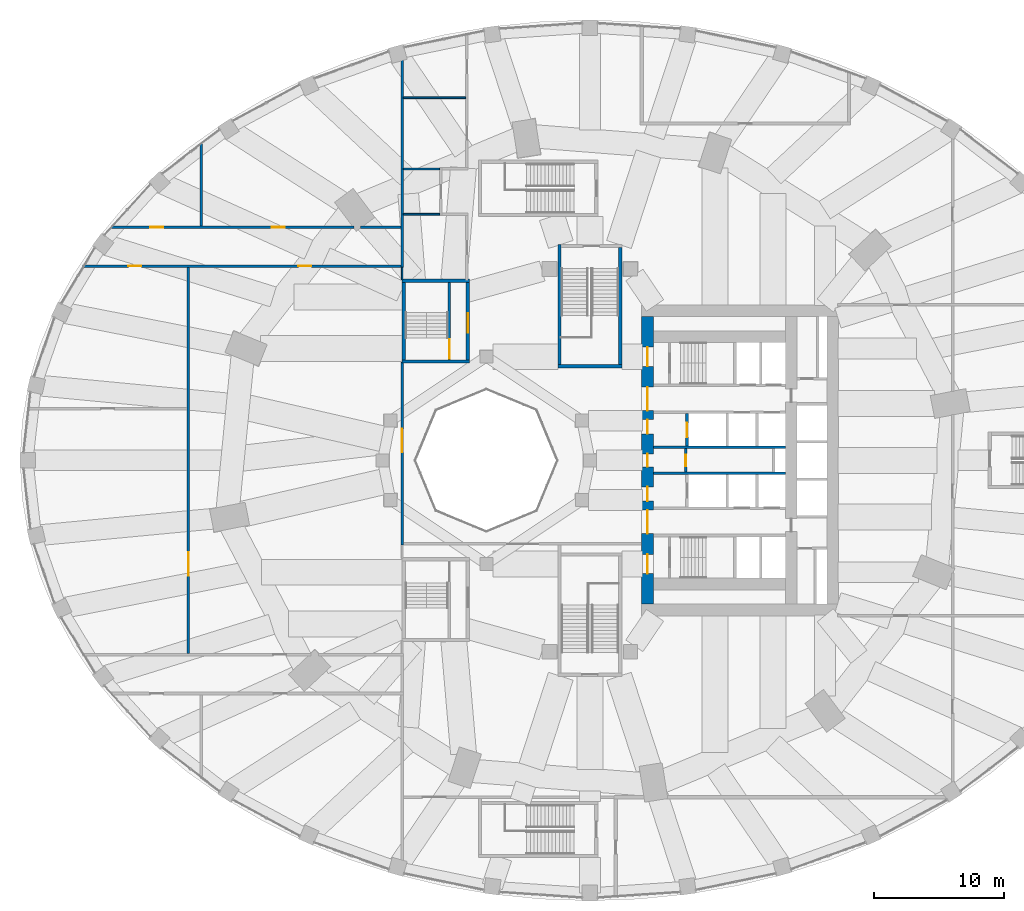
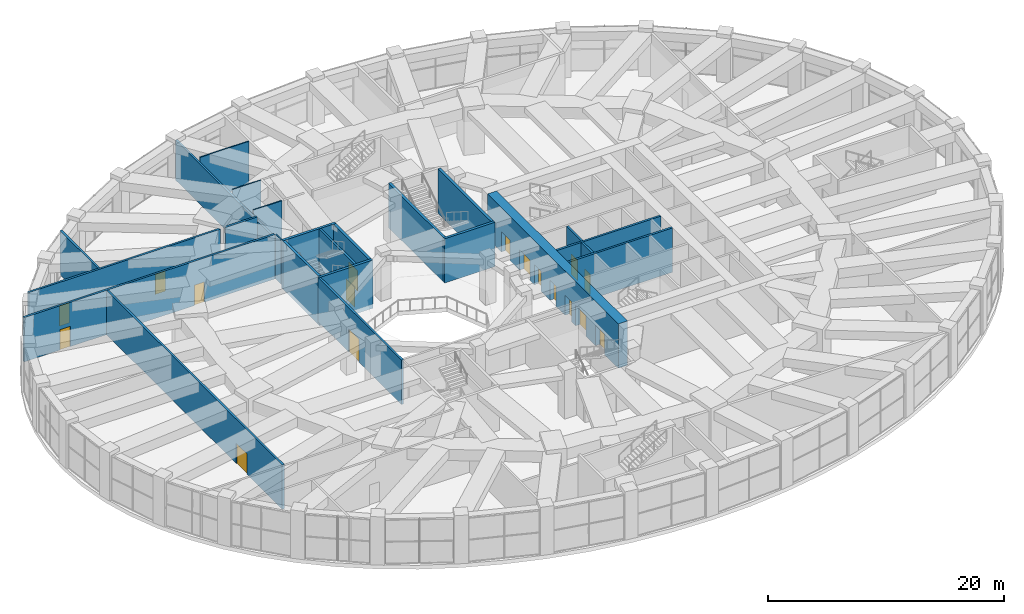
# One storey, part 23 of 32: 24 walls, 17 doors, 17 openings.
"""IFC4 building model written with IfcOpenShell, lengths in metres."""

from ifc_helpers import new_model, si_unit, direction, frame, frame_2d, origin, place, context, subcontext, project, spatial, rectangle, extrude, material, layer, layer_set, type_object, element, fill, save


model = new_model("IFC4")

# Units and contexts
model_context = context("Model", 3, precision=1e-05, world=origin(), true_north=direction((0.0, 1.0)))
body_context = subcontext(model_context, "Body", "Model", "MODEL_VIEW")
ifc_project = project(units=[si_unit("LENGTHUNIT", "METRE"), si_unit("AREAUNIT", "SQUARE_METRE"), si_unit("VOLUMEUNIT", "CUBIC_METRE"), si_unit("PLANEANGLEUNIT", "RADIAN"), si_unit("MASSUNIT", "GRAM", prefix="KILO")], contexts=[model_context])

# Site, building, storey
site_placement = place(None, origin())
site = spatial("IfcSite", under=ifc_project, at=site_placement, CompositionType="ELEMENT")
building_placement = place(site_placement, origin())
building = spatial("IfcBuilding", under=site, at=building_placement, Name="Taillehof Tower", CompositionType="ELEMENT")
storey_placement = place(building_placement, frame((0.0, 0.0, 7.5)))
storey = spatial("IfcBuildingStorey", under=building, at=storey_placement, Name="L01", CompositionType="ELEMENT", Elevation=7.5)

# Wall, openings, doors
ifc_material_1 = material(Name="Calcium silicate blockwork", Category="masonry")
ifc_layer_1 = layer(ifc_material_1, 0.199951171875)
ifc_layer_set_1 = layer_set([ifc_layer_1], Name="Compartment wall EI 60 200 mm")
wall_type_1 = type_object("IfcWallType", Name="Compartment wall EI 60 200 mm", PredefinedType="PARTITIONING", material=ifc_layer_set_1)
wall_1_placement = place(storey_placement, frame((-39.165283203125, 15.0, 0.0), z_axis=(0.0, 0.0, 1.0), x_axis=(1.0, 0.0, 0.0)))
wall_1 = element("IfcWall", 1, at=wall_1_placement, inside=storey, type_object=wall_type_1, Name="Wall L01-19 / L01-21", PredefinedType="PARTITIONING", context=body_context, shape_type="SweptSolid", body=[
    extrude(rectangle(XDim=24.565185546875, YDim=0.199951171875, at=frame_2d((12.28271484375, 0.0))), origin(), (0.0, 0.0, 1.0), 4.590087890625),
])
opening_1_placement = place(wall_1_placement, frame((3.5322265625, 0.0, 0.0)))
opening_1 = element("IfcOpeningElement", 2, at=opening_1_placement, cuts=wall_1, Name="Opening D0157", PredefinedType="OPENING", context=body_context, shape_type="SweptSolid", body=[
    extrude(rectangle(XDim=1.0, YDim=2.10009765625, at=frame_2d((0.5, 1.050048828125))), frame((0.0, 0.10986328125, 0.0), z_axis=(0.0, -1.0, 0.0), x_axis=(1.0, 0.0, 0.0)), (0.0, 0.0, 1.0), 0.219970703125),
])
opening_2_placement = place(wall_1_placement, frame((16.665283203125, 0.0, 0.0)))
opening_2 = element("IfcOpeningElement", 3, at=opening_2_placement, cuts=wall_1, Name="Opening D0158", PredefinedType="OPENING", context=body_context, shape_type="SweptSolid", body=[
    extrude(rectangle(XDim=1.0, YDim=2.10009765625, at=frame_2d((0.5, 1.050048828125))), frame((0.0, 0.10986328125, 0.0), z_axis=(0.0, -1.0, 0.0), x_axis=(1.0, 0.0, 0.0)), (0.0, 0.0, 1.0), 0.219970703125),
])
ifc_material_2 = material(Name="Hollow metal door set")
door_type_1 = type_object("IfcDoorType", Name="Single door 1000 x 2100 FD60S", OperationType="SINGLE_SWING_LEFT", PredefinedType="DOOR", material=ifc_material_2)
door_1_placement = place(opening_1_placement, origin())
door_1 = element("IfcDoor", 4, at=door_1_placement, inside=storey, type_object=door_type_1, Name="Door D0157", OperationType="SINGLE_SWING_RIGHT", OverallHeight=2.10009765625, OverallWidth=1.0, PredefinedType="DOOR", context=body_context, shape_type="SweptSolid", body=[
    extrude(rectangle(XDim=1.0, YDim=2.10009765625, at=frame_2d((0.5, 1.050048828125))), frame((0.0, 0.02490234375, 0.0), z_axis=(0.0, -1.0, 0.0), x_axis=(1.0, 0.0, 0.0)), (0.0, 0.0, 1.0), 0.050048828125),
])
fill(opening_1, door_1)
door_2_placement = place(opening_2_placement, origin())
door_2 = element("IfcDoor", 5, at=door_2_placement, inside=storey, type_object=door_type_1, Name="Door D0158", OperationType="SINGLE_SWING_LEFT", OverallHeight=2.10009765625, OverallWidth=1.0, PredefinedType="DOOR", context=body_context, shape_type="SweptSolid", body=[
    extrude(rectangle(XDim=1.0, YDim=2.10009765625, at=frame_2d((0.5, 1.050048828125))), frame((0.0, 0.02490234375, 0.0), z_axis=(0.0, -1.0, 0.0), x_axis=(1.0, 0.0, 0.0)), (0.0, 0.0, 1.0), 0.050048828125),
])
fill(opening_2, door_2)

wall_2_placement = place(storey_placement, frame((-36.981689453125, 18.0, 0.0), z_axis=(0.0, 0.0, 1.0), x_axis=(1.0, 0.0, 0.0)))
wall_2 = element("IfcWall", 6, at=wall_2_placement, inside=storey, type_object=wall_type_1, Name="Wall L01-21 / L01-23", PredefinedType="PARTITIONING", context=body_context, shape_type="SweptSolid", body=[
    extrude(rectangle(XDim=18.784423828125, YDim=0.199951171875, at=frame_2d((9.39208984375, 0.0))), origin(), (0.0, 0.0, 1.0), 4.590087890625),
])
opening_3_placement = place(wall_2_placement, frame((3.040771484375, 0.0, 0.0)))
opening_3 = element("IfcOpeningElement", 7, at=opening_3_placement, cuts=wall_2, Name="Opening D0161", PredefinedType="OPENING", context=body_context, shape_type="SweptSolid", body=[
    extrude(rectangle(XDim=1.0, YDim=2.10009765625, at=frame_2d((0.5, 1.050048828125))), frame((0.0, 0.10986328125, 0.0), z_axis=(0.0, -1.0, 0.0), x_axis=(1.0, 0.0, 0.0)), (0.0, 0.0, 1.0), 0.219970703125),
])
opening_4_placement = place(wall_2_placement, frame((12.4326171875, 0.0, 0.0)))
opening_4 = element("IfcOpeningElement", 8, at=opening_4_placement, cuts=wall_2, Name="Opening D0162", PredefinedType="OPENING", context=body_context, shape_type="SweptSolid", body=[
    extrude(rectangle(XDim=1.0, YDim=2.10009765625, at=frame_2d((0.5, 1.050048828125))), frame((0.0, 0.10986328125, 0.0), z_axis=(0.0, -1.0, 0.0), x_axis=(1.0, 0.0, 0.0)), (0.0, 0.0, 1.0), 0.219970703125),
])
door_3_placement = place(opening_3_placement, origin())
door_3 = element("IfcDoor", 9, at=door_3_placement, inside=storey, type_object=door_type_1, Name="Door D0161", OperationType="SINGLE_SWING_RIGHT", OverallHeight=2.10009765625, OverallWidth=1.0, PredefinedType="DOOR", context=body_context, shape_type="SweptSolid", body=[
    extrude(rectangle(XDim=1.0, YDim=2.10009765625, at=frame_2d((0.5, 1.050048828125))), frame((0.0, 0.02490234375, 0.0), z_axis=(0.0, -1.0, 0.0), x_axis=(1.0, 0.0, 0.0)), (0.0, 0.0, 1.0), 0.050048828125),
])
fill(opening_3, door_3)
door_4_placement = place(opening_4_placement, origin())
door_4 = element("IfcDoor", 10, at=door_4_placement, inside=storey, type_object=door_type_1, Name="Door D0162", OperationType="SINGLE_SWING_RIGHT", OverallHeight=2.10009765625, OverallWidth=1.0, PredefinedType="DOOR", context=body_context, shape_type="SweptSolid", body=[
    extrude(rectangle(XDim=1.0, YDim=2.10009765625, at=frame_2d((0.5, 1.050048828125))), frame((0.0, 0.02490234375, 0.0), z_axis=(0.0, -1.0, 0.0), x_axis=(1.0, 0.0, 0.0)), (0.0, 0.0, 1.0), 0.050048828125),
])
fill(opening_4, door_4)

# Wall
wall_3_placement = place(storey_placement, frame((-17.714599609375, 18.0, 0.0), z_axis=(0.0, 0.0, 1.0), x_axis=(1.0, 0.0, 0.0)))
element("IfcWall", 11, at=wall_3_placement, inside=storey, type_object=wall_type_1, Name="Wall L01-21 / L01-24", PredefinedType="PARTITIONING", context=body_context, shape_type="SweptSolid", body=[
    extrude(rectangle(XDim=3.114501953125, YDim=0.199951171875, at=frame_2d((1.55712890625, 0.0))), origin(), (0.0, 0.0, 1.0), 4.590087890625),
])

# Wall, opening, door
wall_4_placement = place(storey_placement, frame((-31.0, -14.89990234375, 0.0), z_axis=(0.0, 0.0, 1.0), x_axis=(0.0, 1.0, 0.0)))
wall_4 = element("IfcWall", 12, at=wall_4_placement, inside=storey, type_object=wall_type_1, Name="Wall L01-18 / L01-20", PredefinedType="PARTITIONING", context=body_context, shape_type="SweptSolid", body=[
    extrude(rectangle(XDim=29.7998046875, YDim=0.199951171875, at=frame_2d((14.89990234375, 0.0))), origin(), (0.0, 0.0, 1.0), 4.590087890625),
])
opening_5_placement = place(wall_4_placement, frame((6.0, 0.0, 0.0)))
opening_5 = element("IfcOpeningElement", 13, at=opening_5_placement, cuts=wall_4, Name="Opening D0150", PredefinedType="OPENING", context=body_context, shape_type="SweptSolid", body=[
    extrude(rectangle(XDim=1.800048828125, YDim=2.10009765625, at=frame_2d((0.89990234375, 1.050048828125))), frame((0.0, 0.10986328125, 0.0), z_axis=(0.0, -1.0, 0.0), x_axis=(1.0, 0.0, 0.0)), (0.0, 0.0, 1.0), 0.219970703125),
])
ifc_material_3 = material(Name="Hollow metal door set")
door_type_2 = type_object("IfcDoorType", Name="Double door 1800 x 2100 FD60S", OperationType="DOUBLE_DOOR_SINGLE_SWING", PredefinedType="DOOR", material=ifc_material_3)
door_5_placement = place(opening_5_placement, origin())
door_5 = element("IfcDoor", 14, at=door_5_placement, inside=storey, type_object=door_type_2, Name="Door D0150", OperationType="DOUBLE_DOOR_SINGLE_SWING", OverallHeight=2.10009765625, OverallWidth=1.800048828125, PredefinedType="DOOR", context=body_context, shape_type="SweptSolid", body=[
    extrude(rectangle(XDim=1.800048828125, YDim=2.10009765625, at=frame_2d((0.89990234375, 1.050048828125))), frame((0.0, 0.02490234375, 0.0), z_axis=(0.0, -1.0, 0.0), x_axis=(1.0, 0.0, 0.0)), (0.0, 0.0, 1.0), 0.050048828125),
])
fill(opening_5, door_5)

# Wall
wall_5_placement = place(storey_placement, frame((-30.0, 18.10009765625, 0.0), z_axis=(0.0, 0.0, 1.0), x_axis=(0.0, 1.0, 0.0)))
element("IfcWall", 15, at=wall_5_placement, inside=storey, type_object=wall_type_1, Name="Wall L01-23 / L01-24", PredefinedType="PARTITIONING", context=body_context, shape_type="SweptSolid", body=[
    extrude(rectangle(XDim=6.440185546875, YDim=0.199951171875, at=frame_2d((3.22021484375, 0.0))), origin(), (0.0, 0.0, 1.0), 4.590087890625),
])

# Wall, opening, door
wall_6_placement = place(storey_placement, frame((-14.5, -6.550048828125, 0.0), z_axis=(0.0, 0.0, 1.0), x_axis=(0.0, 1.0, 0.0)))
wall_6 = element("IfcWall", 16, at=wall_6_placement, inside=storey, type_object=wall_type_1, Name="Wall L01-20 / L01-27", PredefinedType="PARTITIONING", context=body_context, shape_type="SweptSolid", body=[
    extrude(rectangle(XDim=14.150146484375, YDim=0.199951171875, at=frame_2d((7.0751953125, 0.0))), origin(), (0.0, 0.0, 1.0), 4.590087890625),
])
opening_6_placement = place(wall_6_placement, frame((7.175048828125, 0.0, 0.0)))
opening_6 = element("IfcOpeningElement", 17, at=opening_6_placement, cuts=wall_6, Name="Opening D0154", PredefinedType="OPENING", context=body_context, shape_type="SweptSolid", body=[
    extrude(rectangle(XDim=1.800048828125, YDim=2.39990234375, at=frame_2d((0.89990234375, 1.199951171875))), frame((0.0, 0.10986328125, 0.0), z_axis=(0.0, -1.0, 0.0), x_axis=(1.0, 0.0, 0.0)), (0.0, 0.0, 1.0), 0.219970703125),
])
ifc_material_4 = material(Name="Glazed aluminium door set", Category="aluminium")
door_type_3 = type_object("IfcDoorType", Name="Glazed double door 1800 x 2400 FD60S", OperationType="DOUBLE_DOOR_SINGLE_SWING", PredefinedType="DOOR", material=ifc_material_4)
door_6_placement = place(opening_6_placement, origin())
door_6 = element("IfcDoor", 18, at=door_6_placement, inside=storey, type_object=door_type_3, Name="Door D0154", OperationType="DOUBLE_DOOR_SINGLE_SWING", OverallHeight=2.39990234375, OverallWidth=1.800048828125, PredefinedType="DOOR", context=body_context, shape_type="SweptSolid", body=[
    extrude(rectangle(XDim=1.800048828125, YDim=2.39990234375, at=frame_2d((0.89990234375, 1.199951171875))), frame((0.0, 0.02490234375, 0.0), z_axis=(0.0, -1.0, 0.0), x_axis=(1.0, 0.0, 0.0)), (0.0, 0.0, 1.0), 0.050048828125),
])
fill(opening_6, door_6)

# Wall
wall_7_placement = place(storey_placement, frame((-14.5, 14.89990234375, 0.0), z_axis=(0.0, 0.0, 1.0), x_axis=(0.0, 1.0, 0.0)))
element("IfcWall", 19, at=wall_7_placement, inside=storey, type_object=wall_type_1, Name="Wall L01-06 / L01-21", PredefinedType="PARTITIONING", context=body_context, shape_type="SweptSolid", body=[
    extrude(rectangle(XDim=16.903076171875, YDim=0.199951171875, at=frame_2d((8.45166015625, 0.0))), origin(), (0.0, 0.0, 1.0), 4.139892578125),
])

# Wall, opening, door
ifc_material_5 = material(Name="Calcium silicate masonry", Category="masonry")
ifc_layer_2 = layer(ifc_material_5, 0.199951171875)
ifc_layer_set_2 = layer_set([ifc_layer_2], Name="Compartment wall calcium silicate 200")
wall_type_2 = type_object("IfcWallType", Name="Compartment wall calcium silicate 200", PredefinedType="PARTITIONING", material=ifc_layer_set_2)
wall_8_placement = place(storey_placement, frame((7.39990234375, -0.89990234375, 0.0), z_axis=(0.0, 0.0, 1.0), x_axis=(0.0, 1.0, 0.0)))
wall_8 = element("IfcWall", 20, at=wall_8_placement, inside=storey, type_object=wall_type_2, Name="Compartment wall FW", PredefinedType="PARTITIONING", context=body_context, shape_type="SweptSolid", body=[
    extrude(rectangle(XDim=1.7998046875, YDim=0.199951171875, at=frame_2d((0.89990234375, 0.0))), origin(), (0.0, 0.0, 1.0), 4.590087890625),
])
opening_7_placement = place(wall_8_placement, frame((0.449951171875, 0.0, 0.0)))
opening_7 = element("IfcOpeningElement", 21, at=opening_7_placement, cuts=wall_8, Name="Opening D0112", PredefinedType="OPENING", context=body_context, shape_type="SweptSolid", body=[
    extrude(rectangle(XDim=0.89990234375, YDim=2.10009765625, at=frame_2d((0.449951171875, 1.050048828125))), frame((0.0, 0.10986328125, 0.0), z_axis=(0.0, -1.0, 0.0), x_axis=(1.0, 0.0, 0.0)), (0.0, 0.0, 1.0), 0.219970703125),
])
ifc_material_6 = material(Name="Steel-faced fire door", Category="steel")
door_type_4 = type_object("IfcDoorType", Name="Riser and service room door 900x2100", OperationType="SINGLE_SWING_LEFT", PredefinedType="DOOR", material=ifc_material_6)
door_7_placement = place(opening_7_placement, origin())
door_7 = element("IfcDoor", 22, at=door_7_placement, inside=storey, type_object=door_type_4, Name="Door Linen Store", OperationType="SINGLE_SWING_RIGHT", OverallHeight=2.10009765625, OverallWidth=0.89990234375, PredefinedType="DOOR", context=body_context, shape_type="SweptSolid", body=[
    extrude(rectangle(XDim=0.89990234375, YDim=2.10009765625, at=frame_2d((0.449951171875, 1.050048828125))), frame((0.0, 0.02490234375, 0.0), z_axis=(0.0, -1.0, 0.0), x_axis=(1.0, 0.0, 0.0)), (0.0, 0.0, 1.0), 0.050048828125),
])
fill(opening_7, door_7)

# Wall, openings, doors
ifc_material_7 = material(Name="Concrete C80/95", Category="concrete")
ifc_layer_3 = layer(ifc_material_7, 0.89990234375)
ifc_layer_set_3 = layer_set([ifc_layer_3], Name="Core wall C80/95 900")
wall_type_3 = type_object("IfcWallType", Name="Core wall C80/95 900", PredefinedType="SHEAR", material=ifc_layer_set_3)
wall_9_placement = place(storey_placement, frame((4.449951171875, -11.10009765625, 0.0), z_axis=(0.0, 0.0, 1.0), x_axis=(0.0, 1.0, 0.0)))
wall_9 = element("IfcWall", 23, at=wall_9_placement, inside=storey, type_object=wall_type_3, Name="Core wall CW01", PredefinedType="SHEAR", context=body_context, shape_type="SweptSolid", body=[
    extrude(rectangle(XDim=22.2001953125, YDim=0.89990234375, at=frame_2d((11.10009765625, 0.0))), origin(), (0.0, 0.0, 1.0), 4.590087890625),
])
opening_8_placement = place(wall_9_placement, frame((2.35009765625, 0.0, 0.0)))
opening_8 = element("IfcOpeningElement", 24, at=opening_8_placement, cuts=wall_9, Name="Opening D0101", PredefinedType="OPENING", context=body_context, shape_type="SweptSolid", body=[
    extrude(rectangle(XDim=1.5, YDim=2.10009765625, at=frame_2d((0.75, 1.050048828125))), frame((0.0, 0.4599609375, 0.0), z_axis=(0.0, -1.0, 0.0), x_axis=(1.0, 0.0, 0.0)), (0.0, 0.0, 1.0), 0.919921875),
])
opening_9_placement = place(wall_9_placement, frame((5.449951171875, 0.0, 0.0)))
opening_9 = element("IfcOpeningElement", 25, at=opening_9_placement, cuts=wall_9, Name="Opening D0102", PredefinedType="OPENING", context=body_context, shape_type="SweptSolid", body=[
    extrude(rectangle(XDim=1.800048828125, YDim=2.10009765625, at=frame_2d((0.89990234375, 1.050048828125))), frame((0.0, 0.4599609375, 0.0), z_axis=(0.0, -1.0, 0.0), x_axis=(1.0, 0.0, 0.0)), (0.0, 0.0, 1.0), 0.919921875),
])
opening_10_placement = place(wall_9_placement, frame((7.949951171875, 0.0, 0.0)))
opening_10 = element("IfcOpeningElement", 26, at=opening_10_placement, cuts=wall_9, Name="Opening D0103", PredefinedType="OPENING", context=body_context, shape_type="SweptSolid", body=[
    extrude(rectangle(XDim=1.10009765625, YDim=2.10009765625, at=frame_2d((0.550048828125, 1.050048828125))), frame((0.0, 0.4599609375, 0.0), z_axis=(0.0, -1.0, 0.0), x_axis=(1.0, 0.0, 0.0)), (0.0, 0.0, 1.0), 0.919921875),
])
opening_11_placement = place(wall_9_placement, frame((10.60009765625, 0.0, 0.0)))
opening_11 = element("IfcOpeningElement", 27, at=opening_11_placement, cuts=wall_9, Name="Opening D0104", PredefinedType="OPENING", context=body_context, shape_type="SweptSolid", body=[
    extrude(rectangle(XDim=1.0, YDim=2.10009765625, at=frame_2d((0.5, 1.050048828125))), frame((0.0, 0.4599609375, 0.0), z_axis=(0.0, -1.0, 0.0), x_axis=(1.0, 0.0, 0.0)), (0.0, 0.0, 1.0), 0.919921875),
])
opening_12_placement = place(wall_9_placement, frame((13.14990234375, 0.0, 0.0)))
opening_12 = element("IfcOpeningElement", 28, at=opening_12_placement, cuts=wall_9, Name="Opening D0105", PredefinedType="OPENING", context=body_context, shape_type="SweptSolid", body=[
    extrude(rectangle(XDim=1.10009765625, YDim=2.10009765625, at=frame_2d((0.550048828125, 1.050048828125))), frame((0.0, 0.4599609375, 0.0), z_axis=(0.0, -1.0, 0.0), x_axis=(1.0, 0.0, 0.0)), (0.0, 0.0, 1.0), 0.919921875),
])
opening_13_placement = place(wall_9_placement, frame((14.949951171875, 0.0, 0.0)))
opening_13 = element("IfcOpeningElement", 29, at=opening_13_placement, cuts=wall_9, Name="Opening D0106", PredefinedType="OPENING", context=body_context, shape_type="SweptSolid", body=[
    extrude(rectangle(XDim=1.800048828125, YDim=2.10009765625, at=frame_2d((0.89990234375, 1.050048828125))), frame((0.0, 0.4599609375, 0.0), z_axis=(0.0, -1.0, 0.0), x_axis=(1.0, 0.0, 0.0)), (0.0, 0.0, 1.0), 0.919921875),
])
opening_14_placement = place(wall_9_placement, frame((18.35009765625, 0.0, 0.0)))
opening_14 = element("IfcOpeningElement", 30, at=opening_14_placement, cuts=wall_9, Name="Opening D0107", PredefinedType="OPENING", context=body_context, shape_type="SweptSolid", body=[
    extrude(rectangle(XDim=1.5, YDim=2.10009765625, at=frame_2d((0.75, 1.050048828125))), frame((0.0, 0.4599609375, 0.0), z_axis=(0.0, -1.0, 0.0), x_axis=(1.0, 0.0, 0.0)), (0.0, 0.0, 1.0), 0.919921875),
])
ifc_material_8 = material(Name="Steel-faced fire door", Category="steel")
door_type_5 = type_object("IfcDoorType", Name="Firefighting lobby door 1100x2100", OperationType="SINGLE_SWING_RIGHT", PredefinedType="DOOR", material=ifc_material_8)
door_8_placement = place(opening_10_placement, origin())
door_8 = element("IfcDoor", 31, at=door_8_placement, inside=storey, type_object=door_type_5, Name="Firefighting lobby door FFL-S", OperationType="SINGLE_SWING_RIGHT", OverallHeight=2.10009765625, OverallWidth=1.10009765625, PredefinedType="DOOR", context=body_context, shape_type="SweptSolid", body=[
    extrude(rectangle(XDim=1.10009765625, YDim=2.10009765625, at=frame_2d((0.550048828125, 1.050048828125))), frame((0.0, 0.02490234375, 0.0), z_axis=(0.0, -1.0, 0.0), x_axis=(1.0, 0.0, 0.0)), (0.0, 0.0, 1.0), 0.050048828125),
])
fill(opening_10, door_8)
door_9_placement = place(opening_12_placement, origin())
door_9 = element("IfcDoor", 32, at=door_9_placement, inside=storey, type_object=door_type_5, Name="Firefighting lobby door FFL-N", OperationType="SINGLE_SWING_LEFT", OverallHeight=2.10009765625, OverallWidth=1.10009765625, PredefinedType="DOOR", context=body_context, shape_type="SweptSolid", body=[
    extrude(rectangle(XDim=1.10009765625, YDim=2.10009765625, at=frame_2d((0.550048828125, 1.050048828125))), frame((0.0, 0.02490234375, 0.0), z_axis=(0.0, -1.0, 0.0), x_axis=(1.0, 0.0, 0.0)), (0.0, 0.0, 1.0), 0.050048828125),
])
fill(opening_12, door_9)
ifc_material_9 = material(Name="Steel-faced fire door", Category="steel")
door_type_6 = type_object("IfcDoorType", Name="Lift lobby door 1800x2100", OperationType="DOUBLE_DOOR_SINGLE_SWING", PredefinedType="DOOR", material=ifc_material_9)
door_10_placement = place(opening_9_placement, origin())
door_10 = element("IfcDoor", 33, at=door_10_placement, inside=storey, type_object=door_type_6, Name="Lift lobby door LL-S", OperationType="DOUBLE_DOOR_SINGLE_SWING", OverallHeight=2.10009765625, OverallWidth=1.800048828125, PredefinedType="DOOR", context=body_context, shape_type="SweptSolid", body=[
    extrude(rectangle(XDim=1.800048828125, YDim=2.10009765625, at=frame_2d((0.89990234375, 1.050048828125))), frame((0.0, 0.02490234375, 0.0), z_axis=(0.0, -1.0, 0.0), x_axis=(1.0, 0.0, 0.0)), (0.0, 0.0, 1.0), 0.050048828125),
])
fill(opening_9, door_10)
door_11_placement = place(opening_13_placement, origin())
door_11 = element("IfcDoor", 34, at=door_11_placement, inside=storey, type_object=door_type_6, Name="Lift lobby door LL-N", OperationType="DOUBLE_DOOR_SINGLE_SWING", OverallHeight=2.10009765625, OverallWidth=1.800048828125, PredefinedType="DOOR", context=body_context, shape_type="SweptSolid", body=[
    extrude(rectangle(XDim=1.800048828125, YDim=2.10009765625, at=frame_2d((0.89990234375, 1.050048828125))), frame((0.0, 0.02490234375, 0.0), z_axis=(0.0, -1.0, 0.0), x_axis=(1.0, 0.0, 0.0)), (0.0, 0.0, 1.0), 0.050048828125),
])
fill(opening_13, door_11)
ifc_material_10 = material(Name="Steel-faced fire door", Category="steel")
door_type_7 = type_object("IfcDoorType", Name="Service door 1000x2100", OperationType="SINGLE_SWING_RIGHT", PredefinedType="DOOR", material=ifc_material_10)
door_12_placement = place(opening_11_placement, origin())
door_12 = element("IfcDoor", 35, at=door_12_placement, inside=storey, type_object=door_type_7, Name="Service door SV", OperationType="SINGLE_SWING_RIGHT", OverallHeight=2.10009765625, OverallWidth=1.0, PredefinedType="DOOR", context=body_context, shape_type="SweptSolid", body=[
    extrude(rectangle(XDim=1.0, YDim=2.10009765625, at=frame_2d((0.5, 1.050048828125))), frame((0.0, 0.02490234375, 0.0), z_axis=(0.0, -1.0, 0.0), x_axis=(1.0, 0.0, 0.0)), (0.0, 0.0, 1.0), 0.050048828125),
])
fill(opening_11, door_12)
ifc_material_11 = material(Name="Steel-faced fire door", Category="steel")
door_type_8 = type_object("IfcDoorType", Name="Stair door 1500x2100", OperationType="DOUBLE_DOOR_SINGLE_SWING", PredefinedType="DOOR", material=ifc_material_11)
door_13_placement = place(opening_8_placement, origin())
door_13 = element("IfcDoor", 36, at=door_13_placement, inside=storey, type_object=door_type_8, Name="Stair door S2", OperationType="DOUBLE_DOOR_SINGLE_SWING", OverallHeight=2.10009765625, OverallWidth=1.5, PredefinedType="DOOR", context=body_context, shape_type="SweptSolid", body=[
    extrude(rectangle(XDim=1.5, YDim=2.10009765625, at=frame_2d((0.75, 1.050048828125))), frame((0.0, 0.02490234375, 0.0), z_axis=(0.0, -1.0, 0.0), x_axis=(1.0, 0.0, 0.0)), (0.0, 0.0, 1.0), 0.050048828125),
])
fill(opening_8, door_13)
door_14_placement = place(opening_14_placement, origin())
door_14 = element("IfcDoor", 37, at=door_14_placement, inside=storey, type_object=door_type_8, Name="Stair door S1", OperationType="DOUBLE_DOOR_SINGLE_SWING", OverallHeight=2.10009765625, OverallWidth=1.5, PredefinedType="DOOR", context=body_context, shape_type="SweptSolid", body=[
    extrude(rectangle(XDim=1.5, YDim=2.10009765625, at=frame_2d((0.75, 1.050048828125))), frame((0.0, 0.02490234375, 0.0), z_axis=(0.0, -1.0, 0.0), x_axis=(1.0, 0.0, 0.0)), (0.0, 0.0, 1.0), 0.050048828125),
])
fill(opening_14, door_14)

# Walls
ifc_material_12 = material(Name="Gypsum board partition on steel studs", Category="steel")
ifc_layer_4 = layer(ifc_material_12, 0.125)
ifc_layer_set_4 = layer_set([ifc_layer_4], Name="Partition wall EI 30 125 mm")
wall_type_4 = type_object("IfcWallType", Name="Partition wall EI 30 125 mm", PredefinedType="PARTITIONING", material=ifc_layer_set_4)
for number, where, z_axis, x_axis, name in (
    (38, (-14.39990234375, 19.0, 0.0), (0.0, 0.0, 1.0), (1.0, 0.0, 0.0), "Wall L01-06 / L01-07"),
    (39, (-14.39990234375, 22.5, 0.0), (0.0, 0.0, 1.0), (1.0, 0.0, 0.0), "Wall L01-07 / L01-08"),
):
    element("IfcWall", number, at=place(storey_placement, frame(where, z_axis=z_axis, x_axis=x_axis)), inside=storey, type_object=wall_type_4, Name=name, PredefinedType="PARTITIONING", context=body_context, shape_type="SweptSolid", body=[
        extrude(rectangle(XDim=2.7998046875, YDim=0.125, at=frame_2d((1.39990234375, 0.0))), origin(), (0.0, 0.0, 1.0), 4.590087890625),
    ])
wall_10_placement = place(storey_placement, frame((-14.39990234375, 28.0, 0.0), z_axis=(0.0, 0.0, 1.0), x_axis=(1.0, 0.0, 0.0)))
element("IfcWall", 40, at=wall_10_placement, inside=storey, type_object=wall_type_4, Name="Wall L01-08 / L01-09", PredefinedType="PARTITIONING", context=body_context, shape_type="SweptSolid", body=[
    extrude(rectangle(XDim=4.7998046875, YDim=0.125, at=frame_2d((2.39990234375, 0.0))), origin(), (0.0, 0.0, 1.0), 4.590087890625),
])
wall_11_placement = place(storey_placement, frame((-14.5, 13.9375, 0.0), z_axis=(0.0, 0.0, 1.0), x_axis=(0.0, 1.0, 0.0)))
element("IfcWall", 41, at=wall_11_placement, inside=storey, type_object=wall_type_4, Name="Wall L01-06 / L01-20", PredefinedType="PARTITIONING", context=body_context, shape_type="SweptSolid", body=[
    extrude(rectangle(XDim=0.96240234375, YDim=0.125, at=frame_2d((0.481201171875, 0.0))), origin(), (0.0, 0.0, 1.0), 4.590087890625),
])
ifc_material_13 = material(Name="Concrete C50/60", Category="concrete")
ifc_layer_5 = layer(ifc_material_13, 0.199951171875)
ifc_layer_set_5 = layer_set([ifc_layer_5], Name="Shaft wall C50/60 200")
wall_type_5 = type_object("IfcWallType", Name="Shaft wall C50/60 200", PredefinedType="SHEAR", material=ifc_layer_set_5)
for number, where, z_axis, x_axis, name in (
    (42, (4.89990234375, 1.0, 0.0), (0.0, 0.0, 1.0), (1.0, 0.0, 0.0), "Shaft wall SW"),
    (43, (4.89990234375, -1.0, 0.0), (0.0, 0.0, 1.0), (1.0, 0.0, 0.0), "Shaft wall SW"),
):
    element("IfcWall", number, at=place(storey_placement, frame(where, z_axis=z_axis, x_axis=x_axis)), inside=storey, type_object=wall_type_5, Name=name, PredefinedType="SHEAR", context=body_context, shape_type="SweptSolid", body=[
        extrude(rectangle(XDim=10.2001953125, YDim=0.199951171875, at=frame_2d((5.10009765625, 0.0))), origin(), (0.0, 0.0, 1.0), 4.590087890625),
    ])

# Wall, opening, door
wall_12_placement = place(storey_placement, frame((7.5, 1.10009765625, 0.0), z_axis=(0.0, 0.0, 1.0), x_axis=(0.0, 1.0, 0.0)))
wall_12 = element("IfcWall", 44, at=wall_12_placement, inside=storey, type_object=wall_type_5, Name="Shaft wall SW", PredefinedType="SHEAR", context=body_context, shape_type="SweptSolid", body=[
    extrude(rectangle(XDim=2.5, YDim=0.199951171875, at=frame_2d((1.25, 0.0))), origin(), (0.0, 0.0, 1.0), 4.590087890625),
])
opening_15_placement = place(wall_12_placement, frame((0.699951171875, 0.0, 0.0)))
opening_15 = element("IfcOpeningElement", 45, at=opening_15_placement, cuts=wall_12, Name="Opening LD1", PredefinedType="OPENING", context=body_context, shape_type="SweptSolid", body=[
    extrude(rectangle(XDim=1.10009765625, YDim=2.10009765625, at=frame_2d((0.550048828125, 1.050048828125))), frame((0.0, 0.10986328125, 0.0), z_axis=(0.0, -1.0, 0.0), x_axis=(1.0, 0.0, 0.0)), (0.0, 0.0, 1.0), 0.219970703125),
])
ifc_material_14 = material(Name="Stainless steel", Category="steel")
door_type_9 = type_object("IfcDoorType", Name="Lift landing door LD1 1100x2100", OperationType="DOUBLE_DOOR_SLIDING", PredefinedType="DOOR", material=ifc_material_14)
door_15_placement = place(opening_15_placement, origin())
door_15 = element("IfcDoor", 46, at=door_15_placement, inside=storey, type_object=door_type_9, Name="Landing door FF1", OperationType="DOUBLE_DOOR_SLIDING", OverallHeight=2.10009765625, OverallWidth=1.10009765625, PredefinedType="DOOR", context=body_context, shape_type="SweptSolid", body=[
    extrude(rectangle(XDim=1.10009765625, YDim=2.10009765625, at=frame_2d((0.550048828125, 1.050048828125))), frame((0.0, 0.02490234375, 0.0), z_axis=(0.0, -1.0, 0.0), x_axis=(1.0, 0.0, 0.0)), (0.0, 0.0, 1.0), 0.050048828125),
])
fill(opening_15, door_15)

wall_13_placement = place(storey_placement, frame((-10.85009765625, 7.75, 0.0), z_axis=(0.0, 0.0, 1.0), x_axis=(0.0, 1.0, 0.0)))
wall_13 = element("IfcWall", 47, at=wall_13_placement, inside=storey, type_object=wall_type_5, Name="Shaft wall SW", PredefinedType="SHEAR", context=body_context, shape_type="SweptSolid", body=[
    extrude(rectangle(XDim=6.0, YDim=0.199951171875, at=frame_2d((3.0, 0.0))), origin(), (0.0, 0.0, 1.0), 4.590087890625),
])
opening_16_placement = place(wall_13_placement, frame((0.10009765625, 0.0, 0.0)))
opening_16 = element("IfcOpeningElement", 48, at=opening_16_placement, cuts=wall_13, Name="Opening D0110", PredefinedType="OPENING", context=body_context, shape_type="SweptSolid", body=[
    extrude(rectangle(XDim=1.5, YDim=2.10009765625, at=frame_2d((0.75, 1.050048828125))), frame((0.0, 0.10986328125, 0.0), z_axis=(0.0, -1.0, 0.0), x_axis=(1.0, 0.0, 0.0)), (0.0, 0.0, 1.0), 0.219970703125),
])
door_16_placement = place(opening_16_placement, origin())
door_16 = element("IfcDoor", 49, at=door_16_placement, inside=storey, type_object=door_type_8, Name="Stair lobby door S3", OperationType="DOUBLE_DOOR_SINGLE_SWING", OverallHeight=2.10009765625, OverallWidth=1.5, PredefinedType="DOOR", context=body_context, shape_type="SweptSolid", body=[
    extrude(rectangle(XDim=1.5, YDim=2.10009765625, at=frame_2d((0.75, 1.050048828125))), frame((0.0, 0.02490234375, 0.0), z_axis=(0.0, -1.0, 0.0), x_axis=(1.0, 0.0, 0.0)), (0.0, 0.0, 1.0), 0.050048828125),
])
fill(opening_16, door_16)

# Wall
ifc_material_15 = material(Name="Concrete C50/60", Category="concrete")
ifc_layer_6 = layer(ifc_material_15, 0.25)
ifc_layer_set_6 = layer_set([ifc_layer_6], Name="Stair wall C50/60 250")
wall_type_6 = type_object("IfcWallType", Name="Stair wall C50/60 250", PredefinedType="SHEAR", material=ifc_layer_set_6)
wall_14_placement = place(storey_placement, frame((-14.375, 7.75, -0.409912109375), z_axis=(0.0, 0.0, 1.0), x_axis=(0.0, 1.0, 0.0)))
element("IfcWall", 50, at=wall_14_placement, inside=storey, type_object=wall_type_6, Name="Stair wall SC", PredefinedType="SHEAR", context=body_context, shape_type="SweptSolid", body=[
    extrude(rectangle(XDim=6.0, YDim=0.25, at=frame_2d((3.0, 0.0))), origin(), (0.0, 0.0, 1.0), 5.0),
])

# Wall, opening, door
wall_15_placement = place(storey_placement, frame((-9.425048828125, 7.75, -0.409912109375), z_axis=(0.0, 0.0, 1.0), x_axis=(0.0, 1.0, 0.0)))
wall_15 = element("IfcWall", 51, at=wall_15_placement, inside=storey, type_object=wall_type_6, Name="Stair wall SC", PredefinedType="SHEAR", context=body_context, shape_type="SweptSolid", body=[
    extrude(rectangle(XDim=6.0, YDim=0.25, at=frame_2d((3.0, 0.0))), origin(), (0.0, 0.0, 1.0), 5.0),
])
opening_17_placement = place(wall_15_placement, frame((2.10009765625, 0.0, 0.409912109375)))
opening_17 = element("IfcOpeningElement", 52, at=opening_17_placement, cuts=wall_15, Name="Opening D0117", PredefinedType="OPENING", context=body_context, shape_type="SweptSolid", body=[
    extrude(rectangle(XDim=1.5, YDim=2.10009765625, at=frame_2d((0.75, 1.050048828125))), frame((0.0, 0.135009765625, 0.0), z_axis=(0.0, -1.0, 0.0), x_axis=(1.0, 0.0, 0.0)), (0.0, 0.0, 1.0), 0.27001953125),
])
door_17_placement = place(opening_17_placement, origin())
door_17 = element("IfcDoor", 53, at=door_17_placement, inside=storey, type_object=door_type_8, Name="Stair door S3", OperationType="DOUBLE_DOOR_SINGLE_SWING", OverallHeight=2.10009765625, OverallWidth=1.5, PredefinedType="DOOR", context=body_context, shape_type="SweptSolid", body=[
    extrude(rectangle(XDim=1.5, YDim=2.10009765625, at=frame_2d((0.75, 1.050048828125))), frame((0.0, 0.02490234375, 0.0), z_axis=(0.0, -1.0, 0.0), x_axis=(1.0, 0.0, 0.0)), (0.0, 0.0, 1.0), 0.050048828125),
])
fill(opening_17, door_17)

# Walls
for number, where, z_axis, x_axis, name in (
    (54, (-14.5, 13.875, -0.409912109375), (0.0, 0.0, 1.0), (1.0, 0.0, 0.0), "Stair wall SC"),
    (55, (-14.5, 7.625, -0.409912109375), (0.0, 0.0, 1.0), (1.0, 0.0, 0.0), "Stair wall SC"),
):
    element("IfcWall", number, at=place(storey_placement, frame(where, z_axis=z_axis, x_axis=x_axis)), inside=storey, type_object=wall_type_6, Name=name, PredefinedType="SHEAR", context=body_context, shape_type="SweptSolid", body=[
        extrude(rectangle(XDim=5.199951171875, YDim=0.25, at=frame_2d((2.60009765625, 0.0))), origin(), (0.0, 0.0, 1.0), 5.0),
    ])
ifc_material_16 = material(Name="Concrete C40/50", Category="concrete")
ifc_layer_7 = layer(ifc_material_16, 0.25)
ifc_layer_set_7 = layer_set([ifc_layer_7], Name="Stair wall EI 120 250 mm")
wall_type_7 = type_object("IfcWallType", Name="Stair wall EI 120 250 mm", PredefinedType="SOLIDWALL", material=ifc_layer_set_7)
wall_16_placement = place(storey_placement, frame((-2.47509765625, 7.27490234375, 0.0), z_axis=(0.0, 0.0, 1.0), x_axis=(1.0, 0.0, 0.0)))
element("IfcWall", 56, at=wall_16_placement, inside=storey, type_object=wall_type_7, Name="Wall L01-01 / L01-27", PredefinedType="SOLIDWALL", context=body_context, shape_type="SweptSolid", body=[
    extrude(rectangle(XDim=4.9501953125, YDim=0.25, at=frame_2d((2.47509765625, 0.0))), origin(), (0.0, 0.0, 1.0), 4.590087890625),
])
wall_17_placement = place(storey_placement, frame((-2.35009765625, 7.39990234375, 0.0), z_axis=(0.0, 0.0, 1.0), x_axis=(0.0, 1.0, 0.0)))
element("IfcWall", 57, at=wall_17_placement, inside=storey, type_object=wall_type_7, Name="Wall L01-01 / L01-27", PredefinedType="SOLIDWALL", context=body_context, shape_type="SweptSolid", body=[
    extrude(rectangle(XDim=9.27001953125, YDim=0.25, at=frame_2d((4.635009765625, 0.0))), origin(), (0.0, 0.0, 1.0), 4.590087890625),
])
wall_18_placement = place(storey_placement, frame((2.35009765625, 7.39990234375, 0.0), z_axis=(0.0, 0.0, 1.0), x_axis=(0.0, 1.0, 0.0)))
element("IfcWall", 58, at=wall_18_placement, inside=storey, type_object=wall_type_7, Name="Wall L01-01 / L01-27", PredefinedType="SOLIDWALL", context=body_context, shape_type="SweptSolid", body=[
    extrude(rectangle(XDim=9.02001953125, YDim=0.25, at=frame_2d((4.510009765625, 0.0))), origin(), (0.0, 0.0, 1.0), 4.590087890625),
])

save(model, "model.ifc")
